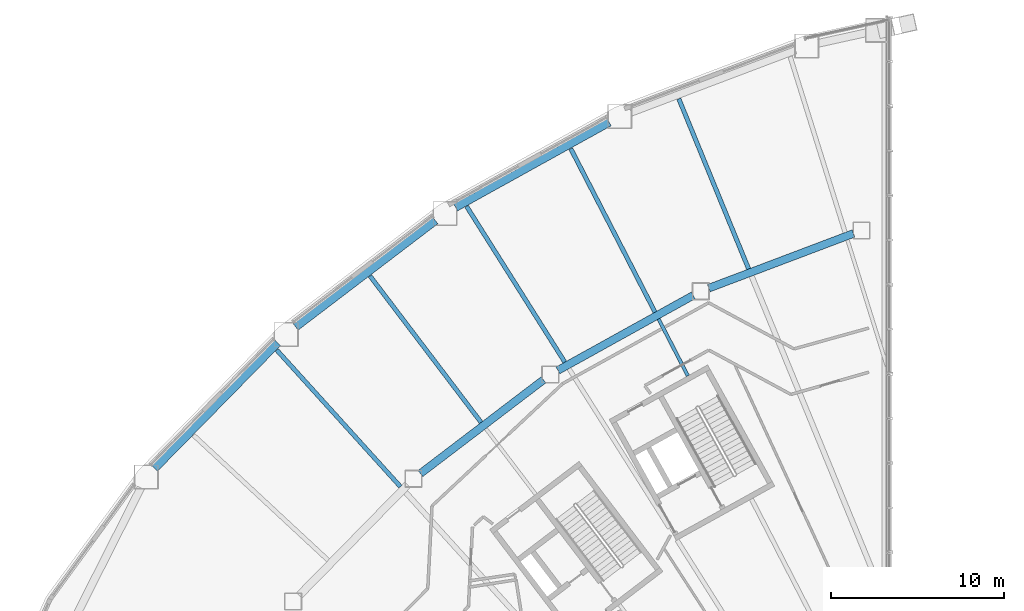
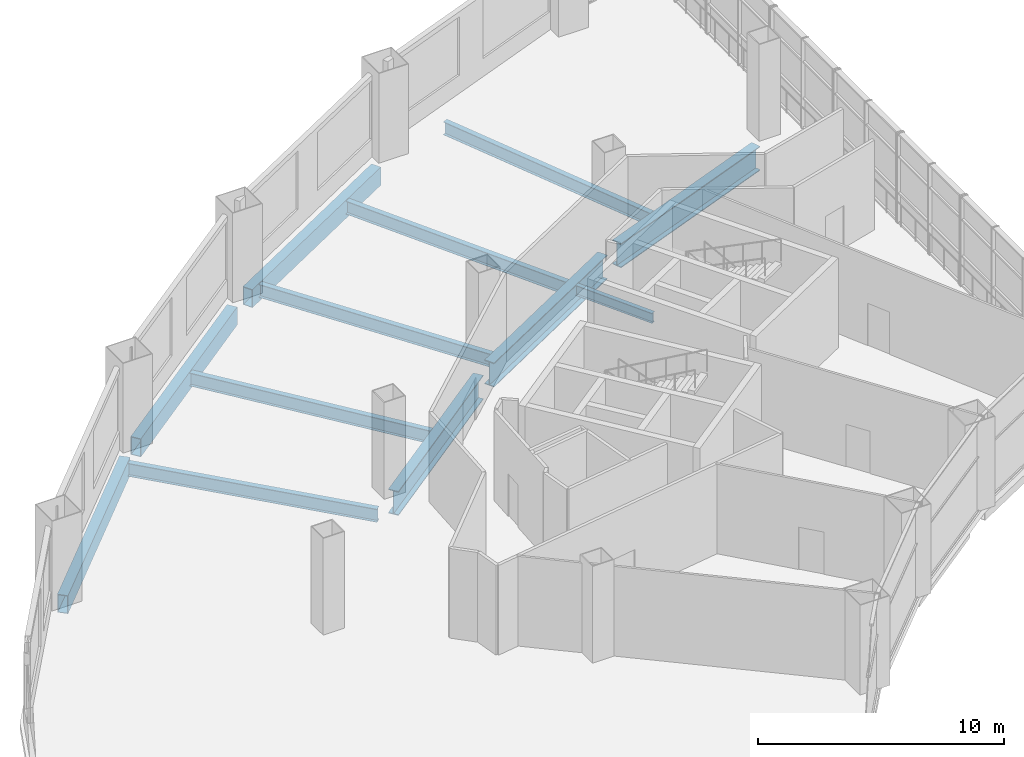
# One storey, part 6 of 26: 12 beams.
"""IFC4 building model written with IfcOpenShell, lengths in metres."""

from ifc_helpers import new_model, si_unit, direction, frame, origin, origin_2d, place, context, subcontext, project, spatial, hollow_rectangle, i_section, extrude, material, material_profile, profile_set, type_object, element, save


model = new_model("IFC4")

# Units and contexts
model_context = context("Model", 3, precision=1e-05, world=origin(), true_north=direction((0.0, 1.0)))
body_context = subcontext(model_context, "Body", "Model", "MODEL_VIEW")
ifc_project = project(units=[si_unit("LENGTHUNIT", "METRE"), si_unit("AREAUNIT", "SQUARE_METRE"), si_unit("VOLUMEUNIT", "CUBIC_METRE"), si_unit("PLANEANGLEUNIT", "RADIAN"), si_unit("MASSUNIT", "GRAM", prefix="KILO")], contexts=[model_context])

# Site, building, storey
site_placement = place(None, origin())
site = spatial("IfcSite", under=ifc_project, at=site_placement, CompositionType="ELEMENT")
building_placement = place(site_placement, origin())
building = spatial("IfcBuilding", under=site, at=building_placement, Name="Tuul Gate Civic Tower", CompositionType="ELEMENT")
storey_placement = place(building_placement, frame((0.0, 0.0, 7.5)))
storey = spatial("IfcBuildingStorey", under=building, at=storey_placement, Name="Level 01", CompositionType="ELEMENT", Elevation=7.5)

# Beams
ifc_material_1 = material(Name="Steel S355", Category="steel")
ifc_material_profile_1 = material_profile(ifc_material_1, i_section(OverallWidth=0.199951171875, OverallDepth=0.5, WebThickness=0.010009765625, FlangeThickness=0.01611328125, at=origin_2d()), Name="PG500x200x10x16")
ifc_profile_set_1 = profile_set([ifc_material_profile_1], Name="Steel S355")
beam_type_1 = type_object("IfcBeamType", Name="STR-FLOOR BEAM-PG500x200x10x16", PredefinedType="BEAM", material=ifc_profile_set_1)
beam_1_placement = place(storey_placement, frame((-29.65625, -2.4814453125, -0.60009765625), z_axis=(-0.458245936385, 0.888825439435, 0.0), x_axis=(-0.888825439435, -0.458245936385, 0.0)))
element("IfcBeam", 1, at=beam_1_placement, inside=storey, type_object=beam_type_1, Name="Floor beam", PredefinedType="BEAM", context=body_context, shape_type="SweptSolid", body=[
    extrude(i_section(OverallWidth=0.199951171875, OverallDepth=0.5, WebThickness=0.010009765625, FlangeThickness=0.01611328125, at=origin_2d()), origin(), (0.0, 0.0, 1.0), 3.697509765625),
])
ifc_material_2 = material(Name="Steel S355", Category="steel")
ifc_material_profile_2 = material_profile(ifc_material_2, i_section(OverallWidth=0.25, OverallDepth=0.64990234375, WebThickness=0.011962890625, FlangeThickness=0.02001953125, at=origin_2d()), Name="PG650x250x12x20")
ifc_profile_set_2 = profile_set([ifc_material_profile_2], Name="Steel S355")
beam_type_2 = type_object("IfcBeamType", Name="STR-FLOOR BEAM-PG650x250x12x20", PredefinedType="BEAM", material=ifc_profile_set_2)
beam_2_placement = place(storey_placement, frame((-26.146240234375, 3.7001953125, -0.675048828125), z_axis=(-0.379723712326, 0.925099941789, 0.0), x_axis=(-0.925099941789, -0.379723712326, 0.0)))
element("IfcBeam", 2, at=beam_2_placement, inside=storey, type_object=beam_type_2, Name="Floor beam", PredefinedType="BEAM", context=body_context, shape_type="SweptSolid", body=[
    extrude(i_section(OverallWidth=0.25, OverallDepth=0.64990234375, WebThickness=0.011962890625, FlangeThickness=0.02001953125, at=origin_2d()), origin(), (0.0, 0.0, 1.0), 10.629150390625),
])
beam_3_placement = place(storey_placement, frame((-31.556884765625, 1.205078125, -0.675048828125), z_axis=(-0.458267871085, 0.888814130362, 0.0), x_axis=(-0.888814130362, -0.458267871085, 0.0)))
element("IfcBeam", 3, at=beam_3_placement, inside=storey, type_object=beam_type_2, Name="Floor beam", PredefinedType="BEAM", context=body_context, shape_type="SweptSolid", body=[
    extrude(i_section(OverallWidth=0.25, OverallDepth=0.64990234375, WebThickness=0.011962890625, FlangeThickness=0.02001953125, at=origin_2d()), origin(), (0.0, 0.0, 1.0), 10.6298828125),
])
beam_4_placement = place(storey_placement, frame((-36.771484375, -1.685546875, -0.675048828125), z_axis=(-0.533386929433, 0.845871375275, 0.0), x_axis=(-0.845871375275, -0.533386929433, 0.0)))
element("IfcBeam", 4, at=beam_4_placement, inside=storey, type_object=beam_type_2, Name="Floor beam", PredefinedType="BEAM", context=body_context, shape_type="SweptSolid", body=[
    extrude(i_section(OverallWidth=0.25, OverallDepth=0.64990234375, WebThickness=0.011962890625, FlangeThickness=0.02001953125, at=origin_2d()), origin(), (0.0, 0.0, 1.0), 10.641845703125),
])
beam_5_placement = place(storey_placement, frame((-41.608642578125, -5.169921875, -0.675048828125), z_axis=(-0.604505162529, 0.796601222995, 0.0), x_axis=(-0.796601222995, -0.604505162529, 0.0)))
element("IfcBeam", 5, at=beam_5_placement, inside=storey, type_object=beam_type_2, Name="Floor beam", PredefinedType="BEAM", context=body_context, shape_type="SweptSolid", body=[
    extrude(i_section(OverallWidth=0.25, OverallDepth=0.64990234375, WebThickness=0.011962890625, FlangeThickness=0.02001953125, at=origin_2d()), origin(), (0.0, 0.0, 1.0), 10.625),
])
beam_6_placement = place(storey_placement, frame((-46.27490234375, -8.881103515625, -0.675048828125), z_axis=(-0.671117501912, 0.741350995567, 0.0), x_axis=(-0.741350995567, -0.671117501912, 0.0)))
element("IfcBeam", 6, at=beam_6_placement, inside=storey, type_object=beam_type_2, Name="Floor beam", PredefinedType="BEAM", context=body_context, shape_type="SweptSolid", body=[
    extrude(i_section(OverallWidth=0.25, OverallDepth=0.64990234375, WebThickness=0.011962890625, FlangeThickness=0.02001953125, at=origin_2d()), origin(), (0.0, 0.0, 1.0), 10.643798828125),
])
ifc_material_3 = material(Name="Steel S355", Category="steel")
ifc_material_profile_3 = material_profile(ifc_material_3, i_section(OverallWidth=0.449951171875, OverallDepth=1.199951171875, WebThickness=0.02001953125, FlangeThickness=0.0400390625, at=origin_2d()), Name="PG1200x450x20x40")
ifc_profile_set_3 = profile_set([ifc_material_profile_3], Name="Steel S355")
beam_type_3 = type_object("IfcBeamType", Name="STR-RING BEAM-PG1200x450x20x40", PredefinedType="BEAM", material=ifc_profile_set_3)
beam_7_placement = place(storey_placement, frame((-45.1162109375, -8.12353515625, -0.949951171875), z_axis=(0.795619775117, 0.605796313494, 0.0), x_axis=(-0.605796313494, 0.795619775117, 0.0)))
element("IfcBeam", 7, at=beam_7_placement, inside=storey, type_object=beam_type_3, Name="Ring girder", PredefinedType="BEAM", context=body_context, shape_type="SweptSolid", body=[
    extrude(i_section(OverallWidth=0.449951171875, OverallDepth=1.199951171875, WebThickness=0.02001953125, FlangeThickness=0.0400390625, at=origin_2d()), origin(), (0.0, 0.0, 1.0), 8.938720703125),
])
beam_8_placement = place(storey_placement, frame((-37.16943359375, -2.163330078125, -0.949951171875), z_axis=(0.874603942318, 0.484838059646, 0.0), x_axis=(-0.484838059646, 0.874603942318, 0.0)))
element("IfcBeam", 8, at=beam_8_placement, inside=storey, type_object=beam_type_3, Name="Ring girder", PredefinedType="BEAM", context=body_context, shape_type="SweptSolid", body=[
    extrude(i_section(OverallWidth=0.449951171875, OverallDepth=1.199951171875, WebThickness=0.02001953125, FlangeThickness=0.0400390625, at=origin_2d()), origin(), (0.0, 0.0, 1.0), 8.93896484375),
])
beam_9_placement = place(storey_placement, frame((-28.4462890625, 2.58984375, -0.949951171875), z_axis=(0.935363691273, 0.353687383218, 0.0), x_axis=(-0.353687383218, 0.935363691273, 0.0)))
element("IfcBeam", 9, at=beam_9_placement, inside=storey, type_object=beam_type_3, Name="Ring girder", PredefinedType="BEAM", context=body_context, shape_type="SweptSolid", body=[
    extrude(i_section(OverallWidth=0.449951171875, OverallDepth=1.199951171875, WebThickness=0.02001953125, FlangeThickness=0.0400390625, at=origin_2d()), origin(), (0.0, 0.0, 1.0), 8.938232421875),
])
ifc_material_4 = material(Name="Steel S355", Category="steel")
ifc_material_profile_4 = material_profile(ifc_material_4, hollow_rectangle(XDim=0.449951171875, YDim=0.89990234375, WallThickness=0.02490234375, at=origin_2d()), Name="BOX900x450x25")
ifc_profile_set_4 = profile_set([ifc_material_profile_4], Name="Steel S355")
beam_type_4 = type_object("IfcBeamType", Name="STR-SPANDREL BEAM-BOX900x450x25", PredefinedType="BEAM", material=ifc_profile_set_4)
for number, where, z_axis, x_axis, name in (
    (10, (-34.204345703125, 12.171630859375, -0.800048828125), (-0.874621074476, -0.484807153497, 0.0), (0.484807153497, -0.874621074476, 0.0), "Spandrel beam"),
    (11, (-44.248046875, 6.489013671875, -0.800048828125), (-0.795616160285, -0.605801060987, 0.0), (0.605801060987, -0.795616160285, 0.0), "Spandrel beam"),
):
    element("IfcBeam", number, at=place(storey_placement, frame(where, z_axis=z_axis, x_axis=x_axis)), inside=storey, type_object=beam_type_4, Name=name, PredefinedType="BEAM", context=body_context, shape_type="SweptSolid", body=[
        extrude(hollow_rectangle(XDim=0.449951171875, YDim=0.89990234375, WallThickness=0.02490234375, at=origin_2d()), origin(), (0.0, 0.0, 1.0), 10.146728515625),
    ])
beam_10_placement = place(storey_placement, frame((-53.367919921875, -0.581787109375, -0.800048828125), z_axis=(-0.700009826077, -0.714133211239, 0.0), x_axis=(0.714133211239, -0.700009826077, 0.0)))
element("IfcBeam", 12, at=beam_10_placement, inside=storey, type_object=beam_type_4, Name="Spandrel beam", PredefinedType="BEAM", context=body_context, shape_type="SweptSolid", body=[
    extrude(hollow_rectangle(XDim=0.449951171875, YDim=0.89990234375, WallThickness=0.02490234375, at=origin_2d()), origin(), (0.0, 0.0, 1.0), 10.14697265625),
])

save(model, "model.ifc")
